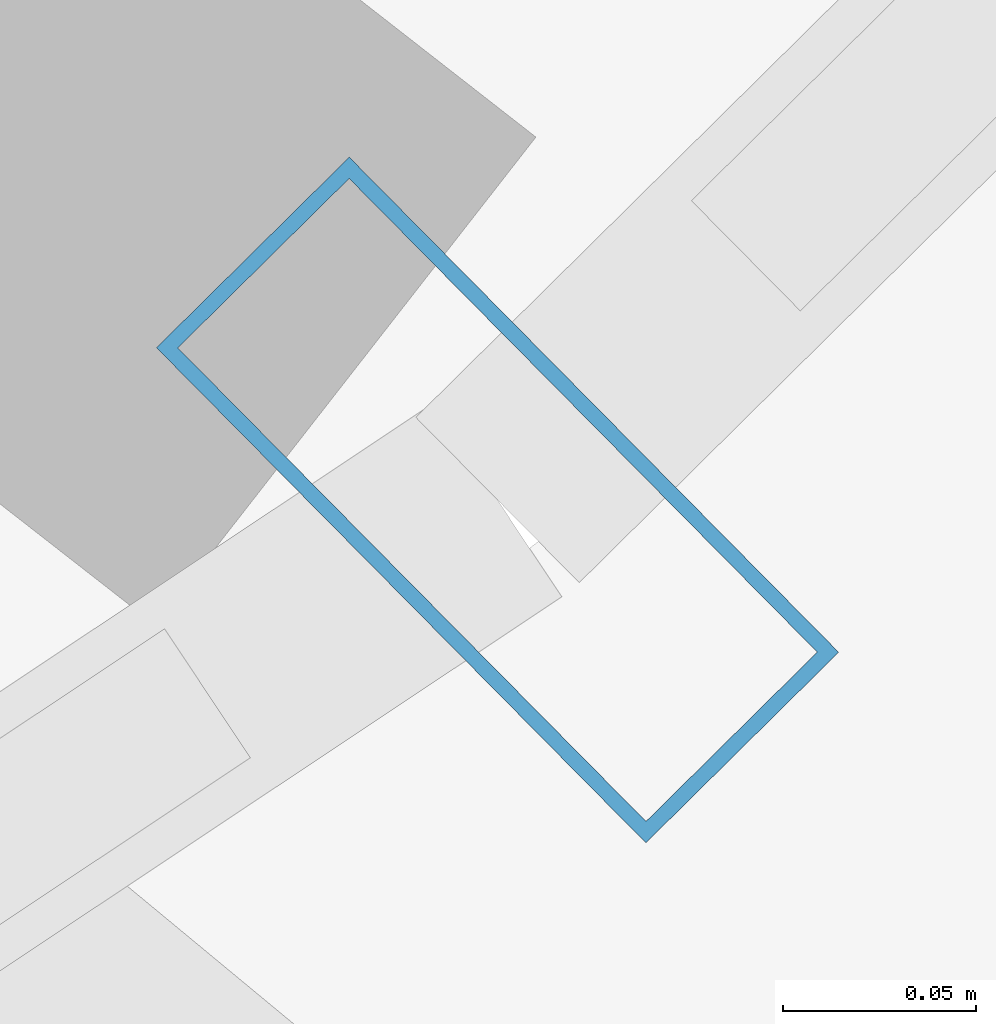
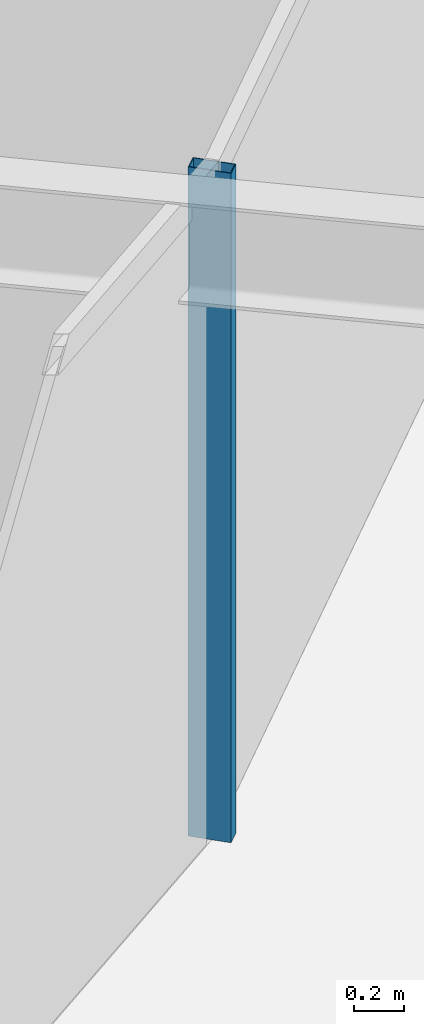
# One storey, part 8 of 22: 1 member, 1 element without a shape of its own.
"""IFC4 building model written with IfcOpenShell, lengths in metres."""

import ifcopenshell
import ifcopenshell.guid

model = None  # the IFC model being written
_history = None  # IfcOwnerHistory: only IFC2X3 demands one
_inside = {}  # id of a spatial element -> (the spatial element, [elements in it])
_under = {}  # id of a project, library or spatial element -> (it, [spatial elements below it])
_declared = {}  # id of a project -> (the project, [libraries it declares])
_typed = {}  # id of a type object -> (the type object, [elements of that type])
_made_of = {}  # id of a material, layer set ... -> (it, [elements and type objects made of it])


def new_model(schema):
    """Start an empty IFC model of exactly this schema.

    Asked for "IFC4X3", IfcOpenShell would pick the latest addendum, in which some entities
    have other attributes; the version numbers below select the first issue.
    IFC2X3 requires an IfcOwnerHistory on every rooted entity: one is made here for all.
    """
    global model, _history
    if schema == "IFC4X3":
        model = ifcopenshell.file(schema_version=(4, 3, 0, 0))
    else:
        model = ifcopenshell.file(schema=schema)
    _inside.clear()
    _under.clear()
    _declared.clear()
    _typed.clear()
    _made_of.clear()
    _history = None
    if model.schema == "IFC2X3":
        org = make("IfcOrganization", Name="unknown")
        user = make(
            "IfcPersonAndOrganization",
            ThePerson=make("IfcPerson", FamilyName="unknown"),
            TheOrganization=org,
        )
        app = make(
            "IfcApplication",
            ApplicationDeveloper=org,
            Version="unknown",
            ApplicationFullName="unknown",
            ApplicationIdentifier="unknown",
        )
        _history = make(
            "IfcOwnerHistory",
            OwningUser=user,
            OwningApplication=app,
            ChangeAction="ADDED",
            CreationDate=0,
        )
    return model


def make(cls, **values):
    """One entity of the class cls with the attributes given. An attribute that is None is left unset."""
    return model.create_entity(
        cls, **{name: value for name, value in values.items() if value is not None}
    )


def rooted(cls, **values):
    """An entity with a GlobalId (a new one), such as an element, a storey or a relation."""
    return make(cls, GlobalId=ifcopenshell.guid.new(), OwnerHistory=_history, **values)


def si_unit(unit_type, name, prefix=None):
    """IfcSIUnit, for example si_unit("LENGTHUNIT", "METRE", prefix="MILLI")."""
    return make("IfcSIUnit", UnitType=unit_type, Prefix=prefix, Name=name)


def assignment(units):
    """IfcUnitAssignment: the units of a project."""
    return None if units is None else make("IfcUnitAssignment", Units=units)


def point(xyz):
    """IfcCartesianPoint."""
    return None if xyz is None else make("IfcCartesianPoint", Coordinates=xyz)


def direction(xyz):
    """IfcDirection."""
    return None if xyz is None else make("IfcDirection", DirectionRatios=xyz)


def frame(location, z_axis=None, x_axis=None):
    """IfcAxis2Placement3D, a coordinate frame: its origin and axes. An axis left out is left unset."""
    return make(
        "IfcAxis2Placement3D",
        Location=point(location),
        Axis=direction(z_axis),
        RefDirection=direction(x_axis),
    )


def frame_2d(location, x_axis=None):
    """IfcAxis2Placement2D, a coordinate frame in the plane: its origin and x axis."""
    return make(
        "IfcAxis2Placement2D", Location=point(location), RefDirection=direction(x_axis)
    )


def origin():
    """The frame at (0, 0, 0) with its axes left unset."""
    return frame((0.0, 0.0, 0.0))


def origin_2d():
    """The frame at (0, 0) in the plane with its x axis left unset."""
    return frame_2d((0.0, 0.0))


def place(relative_to, where):
    """IfcLocalPlacement: puts the frame where relative to a parent placement (None: the world)."""
    return make(
        "IfcLocalPlacement", PlacementRelTo=relative_to, RelativePlacement=where
    )


def context(
    kind, dimensions, precision=None, world=None, true_north=None, identifier=None
):
    """IfcGeometricRepresentationContext, for example the 3D "Model" context."""
    return make(
        "IfcGeometricRepresentationContext",
        ContextIdentifier=identifier,
        ContextType=kind,
        CoordinateSpaceDimension=dimensions,
        Precision=precision,
        WorldCoordinateSystem=world,
        TrueNorth=true_north,
    )


def subcontext(parent, identifier, kind, view, scale=None):
    """IfcGeometricRepresentationSubContext, for example "Body" below "Model"."""
    return make(
        "IfcGeometricRepresentationSubContext",
        ContextIdentifier=identifier,
        ContextType=kind,
        ParentContext=parent,
        TargetScale=scale,
        TargetView=view,
    )


def project(units=None, contexts=None):
    """IfcProject with its units and contexts."""
    return rooted(
        "IfcProject",
        Name="project",
        RepresentationContexts=contexts,
        UnitsInContext=assignment(units),
    )


def spatial(cls, under=None, at=None, **own):
    """A site, building, storey or space (cls), placed at a placement, below another one or the project."""
    s = rooted(cls, ObjectPlacement=at, **own)
    if under is not None:
        _under.setdefault(under.id(), (under, []))[1].append(s)
    return s


def profile(cls, at=None, kind="AREA", **sizes):
    """A parametric profile (cls). Its sizes go by their IFC names, for example OverallWidth=200.0."""
    return make(cls, ProfileType=kind, Position=at, **sizes)


def hollow_rectangle(**sizes):
    """IfcRectangleHollowProfileDef."""
    return profile("IfcRectangleHollowProfileDef", **sizes)


def extrude(swept, where, along, depth):
    """IfcExtrudedAreaSolid: the profile swept, set in the frame where, extruded along a direction by depth."""
    return make(
        "IfcExtrudedAreaSolid",
        SweptArea=swept,
        Position=where,
        ExtrudedDirection=direction(along),
        Depth=depth,
    )


def shape(context_of_items, identifier, shape_type, items):
    """IfcShapeRepresentation: the items that make up one representation, for example the "Body"."""
    return make(
        "IfcShapeRepresentation",
        ContextOfItems=context_of_items,
        RepresentationIdentifier=identifier,
        RepresentationType=shape_type,
        Items=items,
    )


def material(Name=None, Category=None):
    """IfcMaterial."""
    return make("IfcMaterial", Name=Name, Category=Category)


def layer(
    of_material, thickness, ventilated=None, Name=None, Category=None, Priority=None
):
    """IfcMaterialLayer: one layer of a wall or slab, of a material (None: an air gap)."""
    return make(
        "IfcMaterialLayer",
        Material=of_material,
        LayerThickness=thickness,
        IsVentilated=ventilated,
        Name=Name,
        Category=Category,
        Priority=Priority,
    )


def layer_set(layers, Name=None):
    """IfcMaterialLayerSet."""
    return make("IfcMaterialLayerSet", MaterialLayers=layers, LayerSetName=Name)


def material_profile(
    of_material, cross_section, Name=None, Category=None, Priority=None
):
    """IfcMaterialProfile: a cross section and its material."""
    return make(
        "IfcMaterialProfile",
        Name=Name,
        Material=of_material,
        Profile=cross_section,
        Priority=Priority,
        Category=Category,
    )


def profile_set(profiles, Name=None, composite=None):
    """IfcMaterialProfileSet."""
    return make(
        "IfcMaterialProfileSet",
        Name=Name,
        MaterialProfiles=profiles,
        CompositeProfile=composite,
    )


def made_of(thing, what):
    """Note that an element or type object is made of a material, layer set ...; save() writes the relation."""
    if what is not None:
        _made_of.setdefault(what.id(), (what, []))[1].append(thing)
    return thing


def type_object(cls, material=None, **own):
    """A type object (cls), such as IfcWallType, which elements share."""
    return made_of(rooted(cls, **own), material)


def element(
    cls,
    number,
    at=None,
    inside=None,
    cuts=None,
    type_object=None,
    material=None,
    context=None,
    identifier="Body",
    shape_type=None,
    held_by="IfcProductDefinitionShape",
    body=None,
    shapes=None,
    **own,
):
    """One element of the class cls, such as IfcWall. Its Tag is "e" and its number.

    at: its placement. inside: the storey or other place that contains it. cuts: it is an
    opening in that element (IfcRelVoidsElement). A single representation is given by context,
    identifier, shape_type and body (its items); several are given by shapes. held_by: the class
    of the entity that holds the representations. save() writes the other relations.
    """
    e = rooted(cls, Tag="e%d" % number, ObjectPlacement=at, **own)
    if body is not None:
        shapes = [shape(context, identifier, shape_type, body)]
    if shapes is not None:
        e.Representation = make(held_by, Representations=shapes)
    if inside is not None:
        _inside.setdefault(inside.id(), (inside, []))[1].append(e)
    if cuts is not None:
        rooted(
            "IfcRelVoidsElement", RelatingBuildingElement=cuts, RelatedOpeningElement=e
        )
    if type_object is not None:
        _typed.setdefault(type_object.id(), (type_object, []))[1].append(e)
    return made_of(e, material)


def aggregate(whole, parts):
    """IfcRelAggregates: a whole, such as a stair, and the parts it consists of."""
    return rooted("IfcRelAggregates", RelatingObject=whole, RelatedObjects=parts)


def save(model, path):
    """Write the relations noted so far, then the file.

    IfcRelAggregates (storeys below a building ...), IfcRelContainedInSpatialStructure (elements
    in a storey), IfcRelDefinesByType, IfcRelAssociatesMaterial and IfcRelDeclares: one each for
    every whole, place, type object, material and project.
    """
    for whole, parts in _under.values():
        aggregate(whole, parts)
    for where, things in _inside.values():
        rooted(
            "IfcRelContainedInSpatialStructure",
            RelatedElements=things,
            RelatingStructure=where,
        )
    for kind, things in _typed.values():
        rooted("IfcRelDefinesByType", RelatedObjects=things, RelatingType=kind)
    for what, things in _made_of.values():
        rooted("IfcRelAssociatesMaterial", RelatedObjects=things, RelatingMaterial=what)
    for by, libraries in _declared.values():
        rooted("IfcRelDeclares", RelatingContext=by, RelatedDefinitions=libraries)
    model.write(path)


model = new_model("IFC4")

# Units and contexts
model_context = context("Model", 3, precision=1e-05, world=origin(), true_north=direction((0.0, 1.0)))
body_context = subcontext(model_context, "Body", "Model", "MODEL_VIEW")
ifc_project = project(units=[si_unit("LENGTHUNIT", "METRE"), si_unit("AREAUNIT", "SQUARE_METRE"), si_unit("VOLUMEUNIT", "CUBIC_METRE"), si_unit("PLANEANGLEUNIT", "RADIAN"), si_unit("MASSUNIT", "GRAM", prefix="KILO")], contexts=[model_context])

# Site, building, storey
site_placement = place(None, origin())
site = spatial("IfcSite", under=ifc_project, at=site_placement, CompositionType="ELEMENT")
building_placement = place(site_placement, origin())
building = spatial("IfcBuilding", under=site, at=building_placement, Name="Veldorina Hangang Commons", CompositionType="ELEMENT")
storey_placement = place(building_placement, frame((0.0, 0.0, 80.800048828125)))
storey = spatial("IfcBuildingStorey", under=building, at=storey_placement, Name="L20", CompositionType="ELEMENT", Elevation=80.800048828125)

# Curtain wall, member
ifc_material_1 = material(Name="Glass Low-E Triple IGU", Category="glass")
ifc_layer = layer(ifc_material_1, 0.179931640625)
ifc_layer_set = layer_set([ifc_layer], Name="Glass Low-E Triple IGU")
curtain_wall_type = type_object("IfcCurtainWallType", Name="CW-SYS-Z1", PredefinedType="NOTDEFINED", material=ifc_layer_set)
curtain_wall_placement = place(storey_placement, origin())
curtain_wall = element("IfcCurtainWall", 1, at=curtain_wall_placement, inside=storey, type_object=curtain_wall_type, Name="L20 unitised curtain wall CW-L20-R2", PredefinedType="NOTDEFINED")
ifc_material_2 = material(Name="Aluminium Anodized AA6063-T6", Category="aluminium")
ifc_material_profile = material_profile(ifc_material_2, hollow_rectangle(XDim=0.070068359375, YDim=0.179931640625, WallThickness=0.00390625, at=origin_2d()), Name="ALU-RHS-180x70x4")
ifc_profile_set = profile_set([ifc_material_profile], Name="Aluminium Anodized AA6063-T6")
member_type = type_object("IfcMemberType", Name="CW-MUL-180", PredefinedType="MULLION", material=ifc_profile_set)
member_placement = place(storey_placement, frame((50.72412109375, 8.811279296875, 0.0), z_axis=(0.0, 0.0, 1.0), x_axis=(0.711192212706, 0.70299760781, 0.0)))
member = element("IfcMember", 2, at=member_placement, type_object=member_type, Name="CW-L20-R2 vertical mullion 2", PredefinedType="MULLION", context=body_context, shape_type="SweptSolid", body=[
    extrude(hollow_rectangle(XDim=0.070068359375, YDim=0.179931640625, WallThickness=0.00390625, at=origin_2d()), origin(), (0.0, 0.0, 1.0), 3.300048828125),
])
aggregate(curtain_wall, [member])

save(model, "model.ifc")
